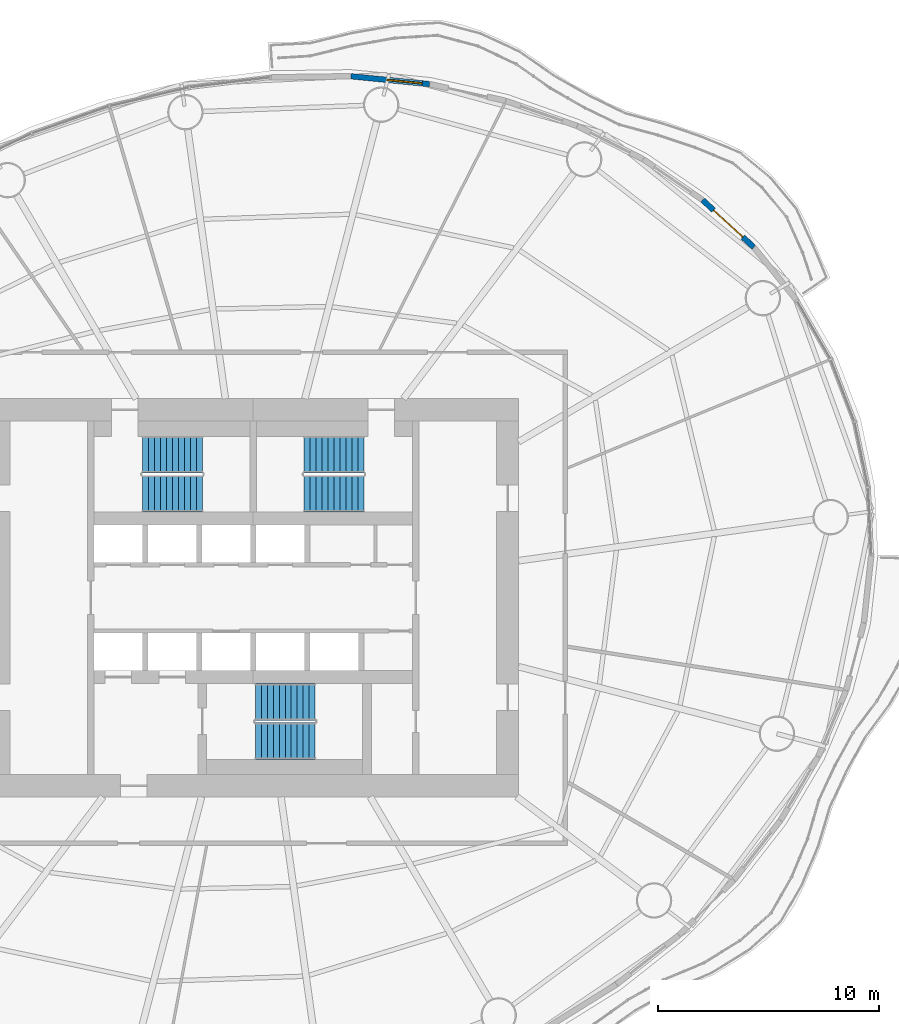
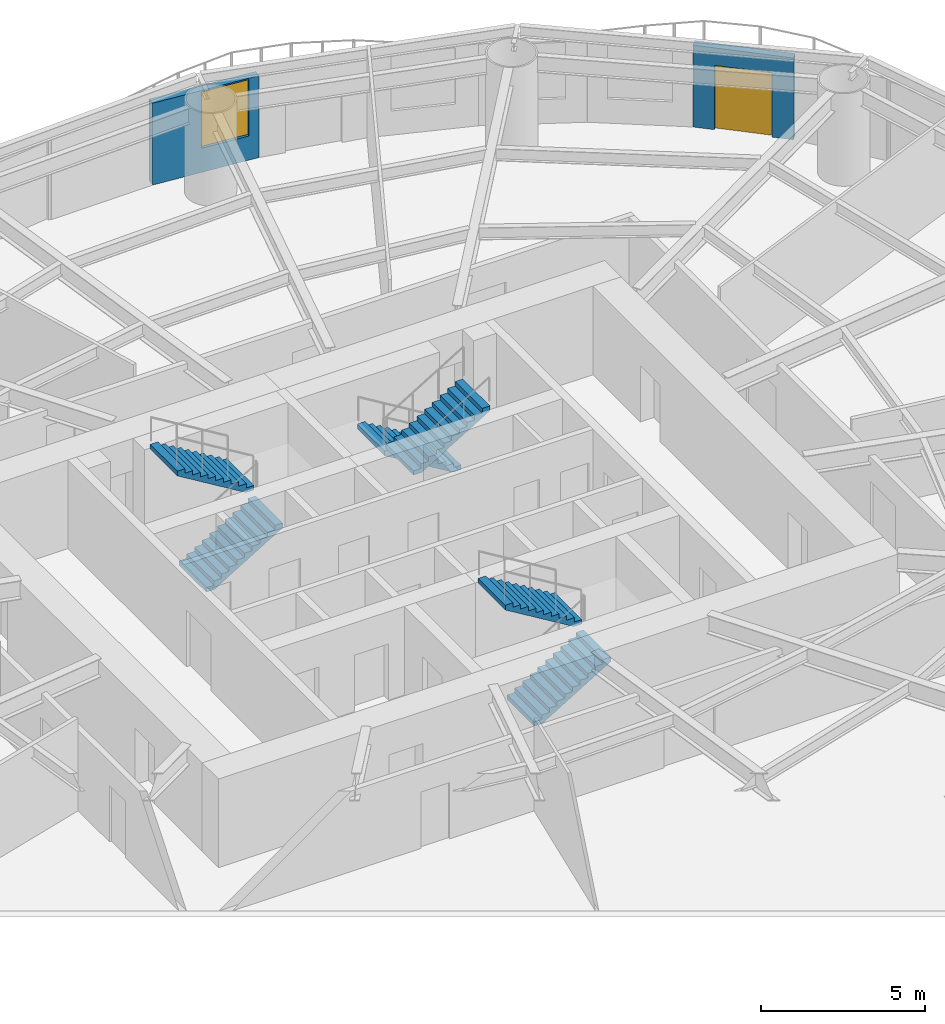
# One storey, part 10 of 16: 6 stair flights, 2 walls, 1 door, 1 window, 2 openings, 3 elements without a shape of their own.
"""IFC4 building model written with IfcOpenShell, lengths in metres."""

from ifc_helpers import new_model, si_unit, direction, frame, frame_2d, origin, place, context, subcontext, project, spatial, polyline, rectangle, outline, extrude, material, layer, layer_set, type_object, element, fill, aggregate, save


model = new_model("IFC4")

# Units and contexts
model_context = context("Model", 3, precision=1e-05, world=origin(), true_north=direction((0.0, 1.0)))
body_context = subcontext(model_context, "Body", "Model", "MODEL_VIEW")
ifc_project = project(units=[si_unit("LENGTHUNIT", "METRE"), si_unit("AREAUNIT", "SQUARE_METRE"), si_unit("VOLUMEUNIT", "CUBIC_METRE"), si_unit("PLANEANGLEUNIT", "RADIAN"), si_unit("MASSUNIT", "GRAM", prefix="KILO")], contexts=[model_context])

# Site, building, storey
site_placement = place(None, origin())
site = spatial("IfcSite", under=ifc_project, at=site_placement, CompositionType="ELEMENT")
building_placement = place(site_placement, origin())
building = spatial("IfcBuilding", under=site, at=building_placement, Name="Vermilion Reach Broadcast Tower", CompositionType="ELEMENT")
storey_placement = place(building_placement, frame((0.0, 0.0, 99.39990234375)))
storey = spatial("IfcBuildingStorey", under=building, at=storey_placement, Name="L22", CompositionType="ELEMENT", Elevation=99.39990234375)

# Wall, opening, door
ifc_material_1 = material(Name="Terracotta rainscreen cladding", Category="masonry")
ifc_layer = layer(ifc_material_1, 0.25)
ifc_layer_set = layer_set([ifc_layer], Name="Terracotta rainscreen wall 250")
wall_type = type_object("IfcWallType", Name="Terracotta rainscreen wall 250", PredefinedType="SOLIDWALL", material=ifc_layer_set)
wall_1_placement = place(storey_placement, frame((16.63232421875, 15.85205078125, 0.0), z_axis=(0.0, 0.0, 1.0), x_axis=(-0.735604195004, 0.677411594448, 0.0)))
wall_1 = element("IfcWall", 1, at=wall_1_placement, inside=storey, type_object=wall_type, Name="External wall L22 03", PredefinedType="SOLIDWALL", context=body_context, shape_type="SweptSolid", body=[
    extrude(rectangle(XDim=3.142333984375, YDim=0.25, at=frame_2d((1.5712890625, 0.0))), origin(), (0.0, 0.0, 1.0), 3.050048828125),
])
opening_1_placement = place(wall_1_placement, frame((0.6708984375, 0.0, 0.0)))
opening_1 = element("IfcOpeningElement", 2, at=opening_1_placement, cuts=wall_1, Name="Opening D70", PredefinedType="OPENING", context=body_context, shape_type="SweptSolid", body=[
    extrude(rectangle(XDim=1.800048828125, YDim=2.39990234375, at=frame_2d((0.89990234375, 1.199951171875))), frame((0.0, 0.135009765625, 0.0), z_axis=(0.0, -1.0, 0.0), x_axis=(1.0, 0.0, 0.0)), (0.0, 0.0, 1.0), 0.27001953125),
])
ifc_material_2 = material(Name="Low-e laminated clear glass in aluminium frame", Category="aluminium")
door_type = type_object("IfcDoorType", Name="Balcony sliding door 1800 x 2400", OperationType="DOUBLE_DOOR_SLIDING", PredefinedType="DOOR", material=ifc_material_2)
door_placement = place(opening_1_placement, origin())
door = element("IfcDoor", 3, at=door_placement, inside=storey, type_object=door_type, Name="Balcony door L22 run 01", OperationType="DOUBLE_DOOR_SLIDING", OverallHeight=2.39990234375, OverallWidth=1.800048828125, PredefinedType="DOOR", context=body_context, shape_type="SweptSolid", body=[
    extrude(rectangle(XDim=1.800048828125, YDim=2.39990234375, at=frame_2d((0.89990234375, 1.199951171875))), frame((0.0, 0.02490234375, 0.0), z_axis=(0.0, -1.0, 0.0), x_axis=(1.0, 0.0, 0.0)), (0.0, 0.0, 1.0), 0.050048828125),
])
fill(opening_1, door)

# Wall, opening, window
wall_2_placement = place(storey_placement, frame((1.970458984375, 23.22509765625, 0.0), z_axis=(0.0, 0.0, 1.0), x_axis=(-0.995080479837, 0.099069867505, 0.0)))
wall_2 = element("IfcWall", 4, at=wall_2_placement, inside=storey, type_object=wall_type, Name="External wall L22 08", PredefinedType="SOLIDWALL", context=body_context, shape_type="SweptSolid", body=[
    extrude(rectangle(XDim=3.56591796875, YDim=0.25, at=frame_2d((1.782958984375, 0.0))), origin(), (0.0, 0.0, 1.0), 3.050048828125),
])
opening_2_placement = place(wall_2_placement, frame((0.3330078125, 0.0, 0.89990234375)))
opening_2 = element("IfcOpeningElement", 5, at=opening_2_placement, cuts=wall_2, Name="Opening W04", PredefinedType="OPENING", context=body_context, shape_type="SweptSolid", body=[
    extrude(rectangle(XDim=1.60009765625, YDim=2.10009765625, at=frame_2d((0.800048828125, 1.050048828125))), frame((0.0, 0.135009765625, 0.0), z_axis=(0.0, -1.0, 0.0), x_axis=(1.0, 0.0, 0.0)), (0.0, 0.0, 1.0), 0.27001953125),
])
ifc_material_3 = material(Name="Low-e laminated clear glass in aluminium frame", Category="aluminium")
window_type = type_object("IfcWindowType", Name="Punched window 1600 x 2100 sill 900", PartitioningType="SINGLE_PANEL", PredefinedType="WINDOW", material=ifc_material_3)
window_placement = place(opening_2_placement, origin())
window = element("IfcWindow", 6, at=window_placement, inside=storey, type_object=window_type, Name="Window L22 08", OverallHeight=2.10009765625, OverallWidth=1.60009765625, PartitioningType="SINGLE_PANEL", PredefinedType="WINDOW", context=body_context, shape_type="SweptSolid", body=[
    extrude(rectangle(XDim=1.60009765625, YDim=2.10009765625, at=frame_2d((0.800048828125, 1.050048828125))), frame((0.0, 0.030029296875, 0.0), z_axis=(0.0, -1.0, 0.0), x_axis=(1.0, 0.0, 0.0)), (0.0, 0.0, 1.0), 0.06005859375),
])
fill(opening_2, window)

# Stair, stair flights
ifc_material_4 = material(Name="Concrete C40", Category="concrete")
stair_type = type_object("IfcStairType", Name="Exit stair RC 22 risers 164 mm", PredefinedType="HALF_TURN_STAIR", material=ifc_material_4)
placement = place(storey_placement, origin())
stair_1 = element("IfcStair", 7, at=placement, inside=storey, type_object=stair_type, Name="L22 Exit stair ST1", PredefinedType="HALF_TURN_STAIR")
ifc_material_5 = material(Name="Concrete C40", Category="concrete")
stair_flight_type = type_object("IfcStairFlightType", Name="Exit stair flight RC 11 risers", PredefinedType="STRAIGHT", material=ifc_material_5)
stair_flight_1_placement = place(storey_placement, frame((-11.0, 4.7099609375, 0.0), z_axis=(0.0, 0.0, 1.0), x_axis=(1.0, 0.0, 0.0)))
stair_flight_1 = element("IfcStairFlight", 8, at=stair_flight_1_placement, type_object=stair_flight_type, Name="ST1 flight 1", NumberOfRisers=11, NumberOfTreads=10, PredefinedType="STRAIGHT", RiserHeight=0.163636364, TreadLength=0.27, context=body_context, shape_type="SweptSolid", body=[
    extrude(outline(polyline([(0.0, 0.0), (0.0, 0.16357421875), (0.27001953125, 0.16357421875), (0.27001953125, 0.327392578125), (0.5400390625, 0.327392578125), (0.5400390625, 0.490966796875), (0.81005859375, 0.490966796875), (0.81005859375, 0.654541015625), (1.080078125, 0.654541015625), (1.080078125, 0.818115234375), (1.35009765625, 0.818115234375), (1.35009765625, 0.98193359375), (1.6201171875, 0.98193359375), (1.6201171875, 1.1455078125), (1.889892578125, 1.1455078125), (1.889892578125, 1.30908203125), (2.159912109375, 1.30908203125), (2.159912109375, 1.47265625), (2.429931640625, 1.47265625), (2.429931640625, 1.636474609375), (2.699951171875, 1.636474609375), (2.699951171875, 1.800048828125), (2.699951171875, 1.461181640625), (0.289306640625, 0.0), (0.0, 0.0)])), frame((0.0, 0.830078125, 0.0), z_axis=(0.0, -1.0, 0.0), x_axis=(1.0, 0.0, 0.0)), (0.0, 0.0, 1.0), 1.659912109375),
])
stair_flight_2_placement = place(storey_placement, frame((-8.300048828125, 6.469970703125, 1.800048828125), z_axis=(0.0, 0.0, 1.0), x_axis=(-1.0, 0.0, 0.0)))
stair_flight_2 = element("IfcStairFlight", 9, at=stair_flight_2_placement, type_object=stair_flight_type, Name="ST1 flight 2", NumberOfRisers=11, NumberOfTreads=10, PredefinedType="STRAIGHT", RiserHeight=0.163636364, TreadLength=0.27, context=body_context, shape_type="SweptSolid", body=[
    extrude(outline(polyline([(0.0, 0.0), (0.0, 0.16357421875), (0.27001953125, 0.16357421875), (0.27001953125, 0.327392578125), (0.5400390625, 0.327392578125), (0.5400390625, 0.490966796875), (0.81005859375, 0.490966796875), (0.81005859375, 0.654541015625), (1.080078125, 0.654541015625), (1.080078125, 0.818115234375), (1.35009765625, 0.818115234375), (1.35009765625, 0.98193359375), (1.6201171875, 0.98193359375), (1.6201171875, 1.1455078125), (1.889892578125, 1.1455078125), (1.889892578125, 1.30908203125), (2.159912109375, 1.30908203125), (2.159912109375, 1.47265625), (2.429931640625, 1.47265625), (2.429931640625, 1.636474609375), (2.699951171875, 1.636474609375), (2.699951171875, 1.800048828125), (2.699951171875, 1.461181640625), (0.289306640625, 0.0), (0.0, 0.0)])), frame((0.0, 0.830078125, 0.0), z_axis=(0.0, -1.0, 0.0), x_axis=(1.0, 0.0, 0.0)), (0.0, 0.0, 1.0), 1.659912109375),
])
aggregate(stair_1, [stair_flight_1, stair_flight_2])

stair_2 = element("IfcStair", 10, at=placement, inside=storey, type_object=stair_type, Name="L22 Exit stair ST2", PredefinedType="HALF_TURN_STAIR")
stair_flight_3_placement = place(storey_placement, frame((-1.0, 6.469970703125, 0.0), z_axis=(0.0, 0.0, 1.0), x_axis=(-1.0, 0.0, 0.0)))
stair_flight_3 = element("IfcStairFlight", 11, at=stair_flight_3_placement, type_object=stair_flight_type, Name="ST2 flight 1", NumberOfRisers=11, NumberOfTreads=10, PredefinedType="STRAIGHT", RiserHeight=0.163636364, TreadLength=0.27, context=body_context, shape_type="SweptSolid", body=[
    extrude(outline(polyline([(0.0, 0.0), (0.0, 0.16357421875), (0.27001953125, 0.16357421875), (0.27001953125, 0.327392578125), (0.5400390625, 0.327392578125), (0.5400390625, 0.490966796875), (0.81005859375, 0.490966796875), (0.81005859375, 0.654541015625), (1.080078125, 0.654541015625), (1.080078125, 0.818115234375), (1.35009765625, 0.818115234375), (1.35009765625, 0.98193359375), (1.6201171875, 0.98193359375), (1.6201171875, 1.1455078125), (1.889892578125, 1.1455078125), (1.889892578125, 1.30908203125), (2.159912109375, 1.30908203125), (2.159912109375, 1.47265625), (2.429931640625, 1.47265625), (2.429931640625, 1.636474609375), (2.699951171875, 1.636474609375), (2.699951171875, 1.800048828125), (2.699951171875, 1.461181640625), (0.289306640625, 0.0), (0.0, 0.0)])), frame((0.0, 0.830078125, 0.0), z_axis=(0.0, -1.0, 0.0), x_axis=(1.0, 0.0, 0.0)), (0.0, 0.0, 1.0), 1.659912109375),
])
stair_flight_4_placement = place(storey_placement, frame((-3.699951171875, 4.7099609375, 1.800048828125), z_axis=(0.0, 0.0, 1.0), x_axis=(1.0, 0.0, 0.0)))
stair_flight_4 = element("IfcStairFlight", 12, at=stair_flight_4_placement, type_object=stair_flight_type, Name="ST2 flight 2", NumberOfRisers=11, NumberOfTreads=10, PredefinedType="STRAIGHT", RiserHeight=0.163636364, TreadLength=0.27, context=body_context, shape_type="SweptSolid", body=[
    extrude(outline(polyline([(0.0, 0.0), (0.0, 0.16357421875), (0.27001953125, 0.16357421875), (0.27001953125, 0.327392578125), (0.5400390625, 0.327392578125), (0.5400390625, 0.490966796875), (0.81005859375, 0.490966796875), (0.81005859375, 0.654541015625), (1.080078125, 0.654541015625), (1.080078125, 0.818115234375), (1.35009765625, 0.818115234375), (1.35009765625, 0.98193359375), (1.6201171875, 0.98193359375), (1.6201171875, 1.1455078125), (1.889892578125, 1.1455078125), (1.889892578125, 1.30908203125), (2.159912109375, 1.30908203125), (2.159912109375, 1.47265625), (2.429931640625, 1.47265625), (2.429931640625, 1.636474609375), (2.699951171875, 1.636474609375), (2.699951171875, 1.800048828125), (2.699951171875, 1.461181640625), (0.289306640625, 0.0), (0.0, 0.0)])), frame((0.0, 0.830078125, 0.0), z_axis=(0.0, -1.0, 0.0), x_axis=(1.0, 0.0, 0.0)), (0.0, 0.0, 1.0), 1.659912109375),
])
aggregate(stair_2, [stair_flight_3, stair_flight_4])

stair_3 = element("IfcStair", 13, at=placement, inside=storey, type_object=stair_type, Name="L22 Exit stair ST3", PredefinedType="HALF_TURN_STAIR")
stair_flight_5_placement = place(storey_placement, frame((-5.89990234375, -6.469970703125, 0.0), z_axis=(0.0, 0.0, 1.0), x_axis=(1.0, 0.0, 0.0)))
stair_flight_5 = element("IfcStairFlight", 14, at=stair_flight_5_placement, type_object=stair_flight_type, Name="ST3 flight 1", NumberOfRisers=11, NumberOfTreads=10, PredefinedType="STRAIGHT", RiserHeight=0.163636364, TreadLength=0.27, context=body_context, shape_type="SweptSolid", body=[
    extrude(outline(polyline([(0.0, 0.0), (0.0, 0.16357421875), (0.27001953125, 0.16357421875), (0.27001953125, 0.327392578125), (0.5400390625, 0.327392578125), (0.5400390625, 0.490966796875), (0.81005859375, 0.490966796875), (0.81005859375, 0.654541015625), (1.080078125, 0.654541015625), (1.080078125, 0.818115234375), (1.35009765625, 0.818115234375), (1.35009765625, 0.98193359375), (1.6201171875, 0.98193359375), (1.6201171875, 1.1455078125), (1.889892578125, 1.1455078125), (1.889892578125, 1.30908203125), (2.159912109375, 1.30908203125), (2.159912109375, 1.47265625), (2.429931640625, 1.47265625), (2.429931640625, 1.636474609375), (2.699951171875, 1.636474609375), (2.699951171875, 1.800048828125), (2.699951171875, 1.461181640625), (0.289306640625, 0.0), (0.0, 0.0)])), frame((0.0, 0.830078125, 0.0), z_axis=(0.0, -1.0, 0.0), x_axis=(1.0, 0.0, 0.0)), (0.0, 0.0, 1.0), 1.659912109375),
])
stair_flight_6_placement = place(storey_placement, frame((-3.199951171875, -4.7099609375, 1.800048828125), z_axis=(0.0, 0.0, 1.0), x_axis=(-1.0, 0.0, 0.0)))
stair_flight_6 = element("IfcStairFlight", 15, at=stair_flight_6_placement, type_object=stair_flight_type, Name="ST3 flight 2", NumberOfRisers=11, NumberOfTreads=10, PredefinedType="STRAIGHT", RiserHeight=0.163636364, TreadLength=0.27, context=body_context, shape_type="SweptSolid", body=[
    extrude(outline(polyline([(0.0, 0.0), (0.0, 0.16357421875), (0.27001953125, 0.16357421875), (0.27001953125, 0.327392578125), (0.5400390625, 0.327392578125), (0.5400390625, 0.490966796875), (0.81005859375, 0.490966796875), (0.81005859375, 0.654541015625), (1.080078125, 0.654541015625), (1.080078125, 0.818115234375), (1.35009765625, 0.818115234375), (1.35009765625, 0.98193359375), (1.6201171875, 0.98193359375), (1.6201171875, 1.1455078125), (1.889892578125, 1.1455078125), (1.889892578125, 1.30908203125), (2.159912109375, 1.30908203125), (2.159912109375, 1.47265625), (2.429931640625, 1.47265625), (2.429931640625, 1.636474609375), (2.699951171875, 1.636474609375), (2.699951171875, 1.800048828125), (2.699951171875, 1.461181640625), (0.289306640625, 0.0), (0.0, 0.0)])), frame((0.0, 0.830078125, 0.0), z_axis=(0.0, -1.0, 0.0), x_axis=(1.0, 0.0, 0.0)), (0.0, 0.0, 1.0), 1.659912109375),
])
aggregate(stair_3, [stair_flight_5, stair_flight_6])

save(model, "model.ifc")
